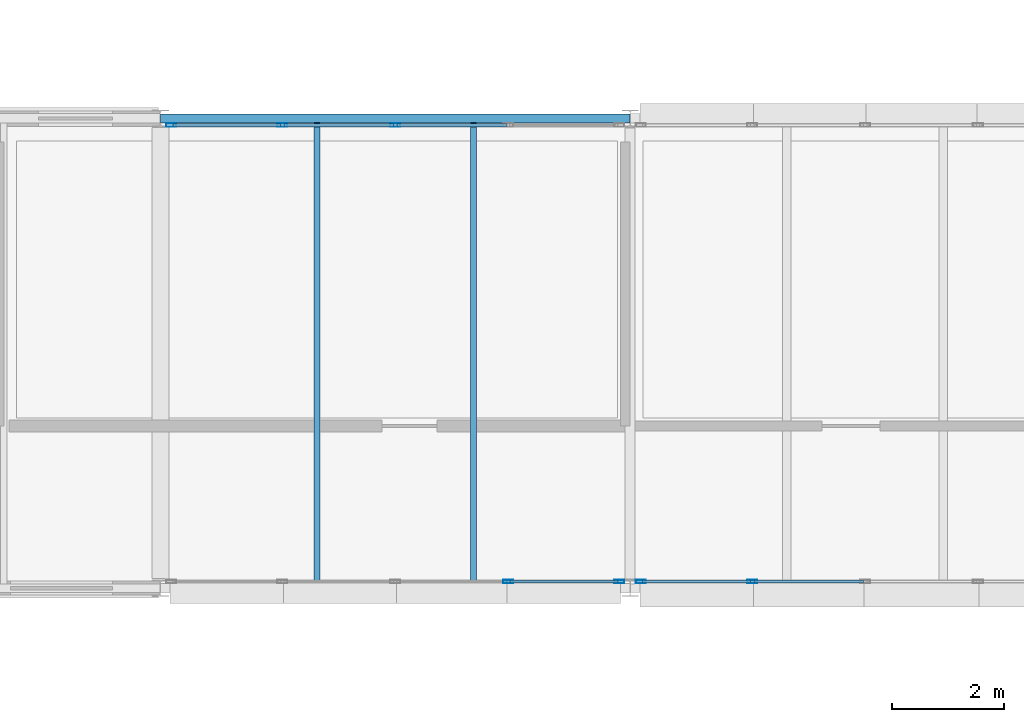
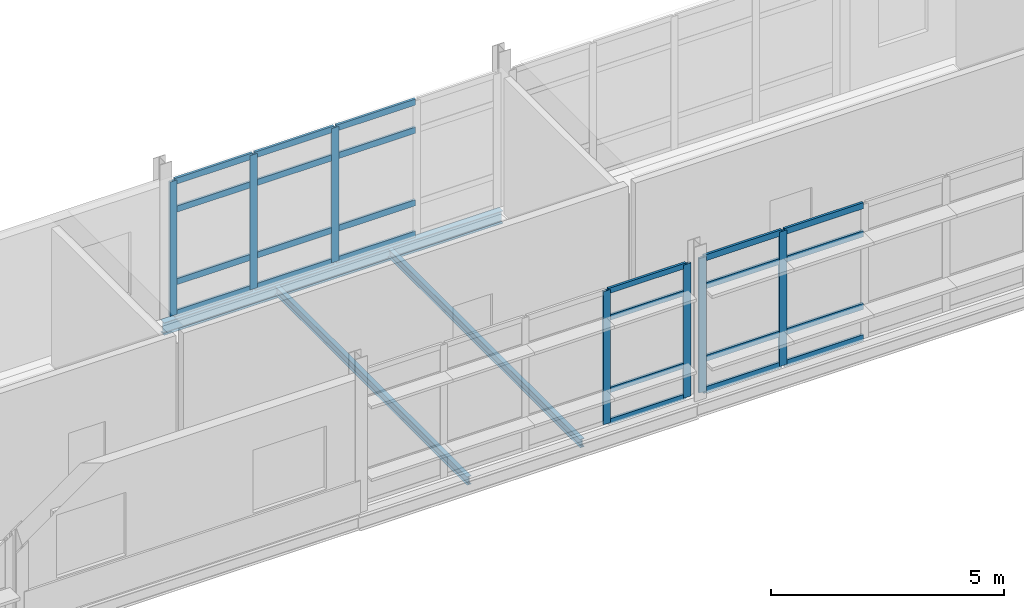
# One storey, part 21 of 57: 31 members, 3 beams, 3 elements without a shape of their own.
"""IFC4 building model written with IfcOpenShell, lengths in metres."""

from ifc_helpers import new_model, si_unit, direction, frame, origin, origin_2d, place, context, subcontext, project, spatial, hollow_rectangle, i_section, extrude, material, material_profile, profile_set, type_object, element, aggregate, save


model = new_model("IFC4")

# Units and contexts
model_context = context("Model", 3, precision=1e-05, world=origin(), true_north=direction((0.0, 1.0)))
body_context = subcontext(model_context, "Body", "Model", "MODEL_VIEW")
ifc_project = project(units=[si_unit("LENGTHUNIT", "METRE"), si_unit("AREAUNIT", "SQUARE_METRE"), si_unit("VOLUMEUNIT", "CUBIC_METRE"), si_unit("PLANEANGLEUNIT", "RADIAN"), si_unit("MASSUNIT", "GRAM", prefix="KILO")], contexts=[model_context])

# Site, building, storey
site_placement = place(None, origin())
site = spatial("IfcSite", under=ifc_project, at=site_placement, CompositionType="ELEMENT")
building_placement = place(site_placement, origin())
building = spatial("IfcBuilding", under=site, at=building_placement, Name="Mersafa Astral City Hall", CompositionType="ELEMENT")
storey_placement = place(building_placement, frame((0.0, 0.0, 26.10009765625)))
storey = spatial("IfcBuildingStorey", under=building, at=storey_placement, Name="L06", CompositionType="ELEMENT", Elevation=26.10009765625)

# Curtain wall, members
ifc_material_1 = material(Name="Anodised bronze aluminium framing", Category="aluminium")
curtain_wall_type_1 = type_object("IfcCurtainWallType", Name="ENV-CW-3", PredefinedType="USERDEFINED", material=ifc_material_1)
curtain_wall_1_placement = place(storey_placement, origin())
curtain_wall_1 = element("IfcCurtainWall", 1, at=curtain_wall_1_placement, inside=storey, type_object=curtain_wall_type_1, Name="L06 Unitised solar curtain wall 260", ObjectType="UNITISED CURTAIN WALL", PredefinedType="USERDEFINED")
ifc_material_profile_1 = material_profile(ifc_material_1, hollow_rectangle(XDim=0.06005859375, YDim=0.179931640625, WallThickness=0.00390625, at=origin_2d()), Name="RHS 60x180x4")
ifc_profile_set_1 = profile_set([ifc_material_profile_1], Name="Anodised bronze aluminium framing")
member_type_1 = type_object("IfcMemberType", Name="ENV-CW-MUL-1", PredefinedType="MULLION", material=ifc_profile_set_1)
member_1_placement = place(storey_placement, frame((88.199951171875, 125.8798828125, -0.002197265625), z_axis=(0.0, 0.0, 1.0), x_axis=(0.0, -1.0, 0.0)))
member_1 = element("IfcMember", 2, at=member_1_placement, type_object=member_type_1, Name="CW-3 mullion 3", PredefinedType="MULLION", context=body_context, shape_type="SweptSolid", body=[
    extrude(hollow_rectangle(XDim=0.06005859375, YDim=0.179931640625, WallThickness=0.00390625, at=origin_2d()), origin(), (0.0, 0.0, 1.0), 3.51904296875),
])
member_2_placement = place(storey_placement, frame((86.180908203125, 125.8798828125, -0.002197265625), z_axis=(0.0, 0.0, 1.0), x_axis=(0.0, -1.0, 0.0)))
member_2 = element("IfcMember", 3, at=member_2_placement, type_object=member_type_1, Name="CW-3 mullion 4", PredefinedType="MULLION", context=body_context, shape_type="SweptSolid", body=[
    extrude(hollow_rectangle(XDim=0.06005859375, YDim=0.179931640625, WallThickness=0.00390625, at=origin_2d()), origin(), (0.0, 0.0, 1.0), 3.51904296875),
])
member_3_placement = place(storey_placement, frame((84.19189453125, 125.8798828125, -0.002197265625), z_axis=(0.0, 0.0, 1.0), x_axis=(0.0, -1.0, 0.0)))
member_3 = element("IfcMember", 4, at=member_3_placement, type_object=member_type_1, Name="CW-3 mullion 5", PredefinedType="MULLION", context=body_context, shape_type="SweptSolid", body=[
    extrude(hollow_rectangle(XDim=0.06005859375, YDim=0.179931640625, WallThickness=0.00390625, at=origin_2d()), origin(), (0.0, 0.0, 1.0), 3.51904296875),
])

curtain_wall_type_2 = type_object("IfcCurtainWallType", Name="ENV-CW-2", PredefinedType="USERDEFINED", material=ifc_material_1)
curtain_wall_2_placement = place(storey_placement, origin())
curtain_wall_2 = element("IfcCurtainWall", 5, at=curtain_wall_2_placement, inside=storey, type_object=curtain_wall_type_2, Name="L06 Unitised solar curtain wall 265", ObjectType="UNITISED CURTAIN WALL", PredefinedType="USERDEFINED")
member_4_placement = place(storey_placement, frame((90.218994140625, 117.719970703125, -0.002197265625), z_axis=(0.0, 0.0, 1.0), x_axis=(0.0, 1.0, 0.0)))
member_4 = element("IfcMember", 6, at=member_4_placement, type_object=member_type_1, Name="CW-2 mullion 4", PredefinedType="MULLION", context=body_context, shape_type="SweptSolid", body=[
    extrude(hollow_rectangle(XDim=0.06005859375, YDim=0.179931640625, WallThickness=0.00390625, at=origin_2d()), origin(), (0.0, 0.0, 1.0), 3.489013671875),
])
member_5_placement = place(storey_placement, frame((92.2080078125, 117.719970703125, -0.002197265625), z_axis=(0.0, 0.0, 1.0), x_axis=(0.0, 1.0, 0.0)))
member_5 = element("IfcMember", 7, at=member_5_placement, type_object=member_type_1, Name="CW-2 mullion 5", PredefinedType="MULLION", context=body_context, shape_type="SweptSolid", body=[
    extrude(hollow_rectangle(XDim=0.06005859375, YDim=0.179931640625, WallThickness=0.00390625, at=origin_2d()), origin(), (0.0, 0.0, 1.0), 3.489013671875),
])

curtain_wall_3_placement = place(storey_placement, origin())
curtain_wall_3 = element("IfcCurtainWall", 8, at=curtain_wall_3_placement, inside=storey, type_object=curtain_wall_type_1, Name="L06 Unitised solar curtain wall 266", ObjectType="UNITISED CURTAIN WALL", PredefinedType="USERDEFINED")
member_6_placement = place(storey_placement, frame((92.592041015625, 117.719970703125, -0.002197265625), z_axis=(0.0, 0.0, 1.0), x_axis=(0.0, 1.0, 0.0)))
member_6 = element("IfcMember", 9, at=member_6_placement, type_object=member_type_1, Name="CW-3 mullion 1", PredefinedType="MULLION", context=body_context, shape_type="SweptSolid", body=[
    extrude(hollow_rectangle(XDim=0.06005859375, YDim=0.179931640625, WallThickness=0.00390625, at=origin_2d()), origin(), (0.0, 0.0, 1.0), 3.51904296875),
])
member_7_placement = place(storey_placement, frame((94.5810546875, 117.719970703125, -0.002197265625), z_axis=(0.0, 0.0, 1.0), x_axis=(0.0, 1.0, 0.0)))
member_7 = element("IfcMember", 10, at=member_7_placement, type_object=member_type_1, Name="CW-3 mullion 2", PredefinedType="MULLION", context=body_context, shape_type="SweptSolid", body=[
    extrude(hollow_rectangle(XDim=0.06005859375, YDim=0.179931640625, WallThickness=0.00390625, at=origin_2d()), origin(), (0.0, 0.0, 1.0), 3.51904296875),
])

# Member
ifc_material_profile_2 = material_profile(ifc_material_1, hollow_rectangle(XDim=0.06005859375, YDim=0.139892578125, WallThickness=0.00390625, at=origin_2d()), Name="RHS 60x140x4")
ifc_profile_set_2 = profile_set([ifc_material_profile_2], Name="Anodised bronze aluminium framing")
member_type_2 = type_object("IfcMemberType", Name="ENV-CW-TRN-1", PredefinedType="USERDEFINED", material=ifc_profile_set_2)
member_8_placement = place(storey_placement, frame((90.2490234375, 117.719970703125, 0.02783203125), z_axis=(1.0, 0.0, 0.0), x_axis=(0.0, 1.0, 0.0)))
member_8 = element("IfcMember", 11, at=member_8_placement, type_object=member_type_2, Name="CW-2 transom 4.1", ObjectType="TRANSOM", PredefinedType="USERDEFINED", context=body_context, shape_type="SweptSolid", body=[
    extrude(hollow_rectangle(XDim=0.06005859375, YDim=0.139892578125, WallThickness=0.00390625, at=origin_2d()), origin(), (0.0, 0.0, 1.0), 1.928955078125),
])

member_9_placement = place(storey_placement, frame((90.2490234375, 117.719970703125, 0.849853515625), z_axis=(1.0, 0.0, 0.0), x_axis=(0.0, 1.0, 0.0)))
member_9 = element("IfcMember", 12, at=member_9_placement, type_object=member_type_2, Name="CW-2 transom 4.2", ObjectType="TRANSOM", PredefinedType="USERDEFINED", context=body_context, shape_type="SweptSolid", body=[
    extrude(hollow_rectangle(XDim=0.06005859375, YDim=0.139892578125, WallThickness=0.00390625, at=origin_2d()), origin(), (0.0, 0.0, 1.0), 1.928955078125),
])

member_10_placement = place(storey_placement, frame((90.2490234375, 117.719970703125, 2.75), z_axis=(1.0, 0.0, 0.0), x_axis=(0.0, 1.0, 0.0)))
member_10 = element("IfcMember", 13, at=member_10_placement, type_object=member_type_2, Name="CW-2 transom 4.3", ObjectType="TRANSOM", PredefinedType="USERDEFINED", context=body_context, shape_type="SweptSolid", body=[
    extrude(hollow_rectangle(XDim=0.06005859375, YDim=0.139892578125, WallThickness=0.00390625, at=origin_2d()), origin(), (0.0, 0.0, 1.0), 1.928955078125),
])

member_11_placement = place(storey_placement, frame((90.2490234375, 117.719970703125, 3.456787109375), z_axis=(1.0, 0.0, 0.0), x_axis=(0.0, 1.0, 0.0)))
member_11 = element("IfcMember", 14, at=member_11_placement, type_object=member_type_2, Name="CW-2 transom 4.4", ObjectType="TRANSOM", PredefinedType="USERDEFINED", context=body_context, shape_type="SweptSolid", body=[
    extrude(hollow_rectangle(XDim=0.06005859375, YDim=0.139892578125, WallThickness=0.00390625, at=origin_2d()), origin(), (0.0, 0.0, 1.0), 1.928955078125),
])

aggregate(curtain_wall_2, [member_4, member_5, member_8, member_9, member_10, member_11])

ifc_material_profile_3 = material_profile(ifc_material_1, hollow_rectangle(XDim=0.06005859375, YDim=0.159912109375, WallThickness=0.00390625, at=origin_2d()), Name="RHS 60x160x4")
ifc_profile_set_3 = profile_set([ifc_material_profile_3], Name="Anodised bronze aluminium framing")
member_type_3 = type_object("IfcMemberType", Name="ENV-CW-TRN-2", PredefinedType="USERDEFINED", material=ifc_profile_set_3)
member_12_placement = place(storey_placement, frame((90.18896484375, 125.8798828125, 0.02783203125), z_axis=(-1.0, 0.0, 0.0), x_axis=(0.0, -1.0, 0.0)))
member_12 = element("IfcMember", 15, at=member_12_placement, type_object=member_type_3, Name="CW-3 transom 2.1", ObjectType="TRANSOM", PredefinedType="USERDEFINED", context=body_context, shape_type="SweptSolid", body=[
    extrude(hollow_rectangle(XDim=0.06005859375, YDim=0.159912109375, WallThickness=0.00390625, at=origin_2d()), origin(), (0.0, 0.0, 1.0), 1.958984375),
])

member_13_placement = place(storey_placement, frame((90.18896484375, 125.8798828125, 0.849853515625), z_axis=(-1.0, 0.0, 0.0), x_axis=(0.0, -1.0, 0.0)))
member_13 = element("IfcMember", 16, at=member_13_placement, type_object=member_type_3, Name="CW-3 transom 2.2", ObjectType="TRANSOM", PredefinedType="USERDEFINED", context=body_context, shape_type="SweptSolid", body=[
    extrude(hollow_rectangle(XDim=0.06005859375, YDim=0.159912109375, WallThickness=0.00390625, at=origin_2d()), origin(), (0.0, 0.0, 1.0), 1.958984375),
])

member_14_placement = place(storey_placement, frame((90.18896484375, 125.8798828125, 2.75), z_axis=(-1.0, 0.0, 0.0), x_axis=(0.0, -1.0, 0.0)))
member_14 = element("IfcMember", 17, at=member_14_placement, type_object=member_type_3, Name="CW-3 transom 2.3", ObjectType="TRANSOM", PredefinedType="USERDEFINED", context=body_context, shape_type="SweptSolid", body=[
    extrude(hollow_rectangle(XDim=0.06005859375, YDim=0.159912109375, WallThickness=0.00390625, at=origin_2d()), origin(), (0.0, 0.0, 1.0), 1.958984375),
])

member_15_placement = place(storey_placement, frame((90.18896484375, 125.8798828125, 3.48681640625), z_axis=(-1.0, 0.0, 0.0), x_axis=(0.0, -1.0, 0.0)))
member_15 = element("IfcMember", 18, at=member_15_placement, type_object=member_type_3, Name="CW-3 transom 2.4", ObjectType="TRANSOM", PredefinedType="USERDEFINED", context=body_context, shape_type="SweptSolid", body=[
    extrude(hollow_rectangle(XDim=0.06005859375, YDim=0.159912109375, WallThickness=0.00390625, at=origin_2d()), origin(), (0.0, 0.0, 1.0), 1.958984375),
])

member_16_placement = place(storey_placement, frame((88.169921875, 125.8798828125, 0.02783203125), z_axis=(-1.0, 0.0, 0.0), x_axis=(0.0, -1.0, 0.0)))
member_16 = element("IfcMember", 19, at=member_16_placement, type_object=member_type_3, Name="CW-3 transom 3.1", ObjectType="TRANSOM", PredefinedType="USERDEFINED", context=body_context, shape_type="SweptSolid", body=[
    extrude(hollow_rectangle(XDim=0.06005859375, YDim=0.159912109375, WallThickness=0.00390625, at=origin_2d()), origin(), (0.0, 0.0, 1.0), 1.958984375),
])

member_17_placement = place(storey_placement, frame((88.169921875, 125.8798828125, 0.849853515625), z_axis=(-1.0, 0.0, 0.0), x_axis=(0.0, -1.0, 0.0)))
member_17 = element("IfcMember", 20, at=member_17_placement, type_object=member_type_3, Name="CW-3 transom 3.2", ObjectType="TRANSOM", PredefinedType="USERDEFINED", context=body_context, shape_type="SweptSolid", body=[
    extrude(hollow_rectangle(XDim=0.06005859375, YDim=0.159912109375, WallThickness=0.00390625, at=origin_2d()), origin(), (0.0, 0.0, 1.0), 1.958984375),
])

member_18_placement = place(storey_placement, frame((88.169921875, 125.8798828125, 2.75), z_axis=(-1.0, 0.0, 0.0), x_axis=(0.0, -1.0, 0.0)))
member_18 = element("IfcMember", 21, at=member_18_placement, type_object=member_type_3, Name="CW-3 transom 3.3", ObjectType="TRANSOM", PredefinedType="USERDEFINED", context=body_context, shape_type="SweptSolid", body=[
    extrude(hollow_rectangle(XDim=0.06005859375, YDim=0.159912109375, WallThickness=0.00390625, at=origin_2d()), origin(), (0.0, 0.0, 1.0), 1.958984375),
])

member_19_placement = place(storey_placement, frame((88.169921875, 125.8798828125, 3.48681640625), z_axis=(-1.0, 0.0, 0.0), x_axis=(0.0, -1.0, 0.0)))
member_19 = element("IfcMember", 22, at=member_19_placement, type_object=member_type_3, Name="CW-3 transom 3.4", ObjectType="TRANSOM", PredefinedType="USERDEFINED", context=body_context, shape_type="SweptSolid", body=[
    extrude(hollow_rectangle(XDim=0.06005859375, YDim=0.159912109375, WallThickness=0.00390625, at=origin_2d()), origin(), (0.0, 0.0, 1.0), 1.958984375),
])

member_20_placement = place(storey_placement, frame((86.15087890625, 125.8798828125, 0.02783203125), z_axis=(-1.0, 0.0, 0.0), x_axis=(0.0, -1.0, 0.0)))
member_20 = element("IfcMember", 23, at=member_20_placement, type_object=member_type_3, Name="CW-3 transom 4.1", ObjectType="TRANSOM", PredefinedType="USERDEFINED", context=body_context, shape_type="SweptSolid", body=[
    extrude(hollow_rectangle(XDim=0.06005859375, YDim=0.159912109375, WallThickness=0.00390625, at=origin_2d()), origin(), (0.0, 0.0, 1.0), 1.928955078125),
])

member_21_placement = place(storey_placement, frame((86.15087890625, 125.8798828125, 0.849853515625), z_axis=(-1.0, 0.0, 0.0), x_axis=(0.0, -1.0, 0.0)))
member_21 = element("IfcMember", 24, at=member_21_placement, type_object=member_type_3, Name="CW-3 transom 4.2", ObjectType="TRANSOM", PredefinedType="USERDEFINED", context=body_context, shape_type="SweptSolid", body=[
    extrude(hollow_rectangle(XDim=0.06005859375, YDim=0.159912109375, WallThickness=0.00390625, at=origin_2d()), origin(), (0.0, 0.0, 1.0), 1.928955078125),
])

member_22_placement = place(storey_placement, frame((86.15087890625, 125.8798828125, 2.75), z_axis=(-1.0, 0.0, 0.0), x_axis=(0.0, -1.0, 0.0)))
member_22 = element("IfcMember", 25, at=member_22_placement, type_object=member_type_3, Name="CW-3 transom 4.3", ObjectType="TRANSOM", PredefinedType="USERDEFINED", context=body_context, shape_type="SweptSolid", body=[
    extrude(hollow_rectangle(XDim=0.06005859375, YDim=0.159912109375, WallThickness=0.00390625, at=origin_2d()), origin(), (0.0, 0.0, 1.0), 1.928955078125),
])

member_23_placement = place(storey_placement, frame((86.15087890625, 125.8798828125, 3.48681640625), z_axis=(-1.0, 0.0, 0.0), x_axis=(0.0, -1.0, 0.0)))
member_23 = element("IfcMember", 26, at=member_23_placement, type_object=member_type_3, Name="CW-3 transom 4.4", ObjectType="TRANSOM", PredefinedType="USERDEFINED", context=body_context, shape_type="SweptSolid", body=[
    extrude(hollow_rectangle(XDim=0.06005859375, YDim=0.159912109375, WallThickness=0.00390625, at=origin_2d()), origin(), (0.0, 0.0, 1.0), 1.928955078125),
])

aggregate(curtain_wall_1, [member_1, member_2, member_3, member_12, member_13, member_14, member_15, member_16, member_17, member_18, member_19, member_20, member_21, member_22, member_23])

member_24_placement = place(storey_placement, frame((92.6220703125, 117.719970703125, 0.02783203125), z_axis=(1.0, 0.0, 0.0), x_axis=(0.0, 1.0, 0.0)))
member_24 = element("IfcMember", 27, at=member_24_placement, type_object=member_type_3, Name="CW-3 transom 1.1", ObjectType="TRANSOM", PredefinedType="USERDEFINED", context=body_context, shape_type="SweptSolid", body=[
    extrude(hollow_rectangle(XDim=0.06005859375, YDim=0.159912109375, WallThickness=0.00390625, at=origin_2d()), origin(), (0.0, 0.0, 1.0), 1.928955078125),
])

member_25_placement = place(storey_placement, frame((92.6220703125, 117.719970703125, 0.849853515625), z_axis=(1.0, 0.0, 0.0), x_axis=(0.0, 1.0, 0.0)))
member_25 = element("IfcMember", 28, at=member_25_placement, type_object=member_type_3, Name="CW-3 transom 1.2", ObjectType="TRANSOM", PredefinedType="USERDEFINED", context=body_context, shape_type="SweptSolid", body=[
    extrude(hollow_rectangle(XDim=0.06005859375, YDim=0.159912109375, WallThickness=0.00390625, at=origin_2d()), origin(), (0.0, 0.0, 1.0), 1.928955078125),
])

member_26_placement = place(storey_placement, frame((92.6220703125, 117.719970703125, 2.75), z_axis=(1.0, 0.0, 0.0), x_axis=(0.0, 1.0, 0.0)))
member_26 = element("IfcMember", 29, at=member_26_placement, type_object=member_type_3, Name="CW-3 transom 1.3", ObjectType="TRANSOM", PredefinedType="USERDEFINED", context=body_context, shape_type="SweptSolid", body=[
    extrude(hollow_rectangle(XDim=0.06005859375, YDim=0.159912109375, WallThickness=0.00390625, at=origin_2d()), origin(), (0.0, 0.0, 1.0), 1.928955078125),
])

member_27_placement = place(storey_placement, frame((92.6220703125, 117.719970703125, 3.48681640625), z_axis=(1.0, 0.0, 0.0), x_axis=(0.0, 1.0, 0.0)))
member_27 = element("IfcMember", 30, at=member_27_placement, type_object=member_type_3, Name="CW-3 transom 1.4", ObjectType="TRANSOM", PredefinedType="USERDEFINED", context=body_context, shape_type="SweptSolid", body=[
    extrude(hollow_rectangle(XDim=0.06005859375, YDim=0.159912109375, WallThickness=0.00390625, at=origin_2d()), origin(), (0.0, 0.0, 1.0), 1.928955078125),
])

member_28_placement = place(storey_placement, frame((94.611083984375, 117.719970703125, 0.02783203125), z_axis=(1.0, 0.0, 0.0), x_axis=(0.0, 1.0, 0.0)))
member_28 = element("IfcMember", 31, at=member_28_placement, type_object=member_type_3, Name="CW-3 transom 2.1", ObjectType="TRANSOM", PredefinedType="USERDEFINED", context=body_context, shape_type="SweptSolid", body=[
    extrude(hollow_rectangle(XDim=0.06005859375, YDim=0.159912109375, WallThickness=0.00390625, at=origin_2d()), origin(), (0.0, 0.0, 1.0), 1.958984375),
])

member_29_placement = place(storey_placement, frame((94.611083984375, 117.719970703125, 0.849853515625), z_axis=(1.0, 0.0, 0.0), x_axis=(0.0, 1.0, 0.0)))
member_29 = element("IfcMember", 32, at=member_29_placement, type_object=member_type_3, Name="CW-3 transom 2.2", ObjectType="TRANSOM", PredefinedType="USERDEFINED", context=body_context, shape_type="SweptSolid", body=[
    extrude(hollow_rectangle(XDim=0.06005859375, YDim=0.159912109375, WallThickness=0.00390625, at=origin_2d()), origin(), (0.0, 0.0, 1.0), 1.958984375),
])

member_30_placement = place(storey_placement, frame((94.611083984375, 117.719970703125, 2.75), z_axis=(1.0, 0.0, 0.0), x_axis=(0.0, 1.0, 0.0)))
member_30 = element("IfcMember", 33, at=member_30_placement, type_object=member_type_3, Name="CW-3 transom 2.3", ObjectType="TRANSOM", PredefinedType="USERDEFINED", context=body_context, shape_type="SweptSolid", body=[
    extrude(hollow_rectangle(XDim=0.06005859375, YDim=0.159912109375, WallThickness=0.00390625, at=origin_2d()), origin(), (0.0, 0.0, 1.0), 1.958984375),
])

member_31_placement = place(storey_placement, frame((94.611083984375, 117.719970703125, 3.48681640625), z_axis=(1.0, 0.0, 0.0), x_axis=(0.0, 1.0, 0.0)))
member_31 = element("IfcMember", 34, at=member_31_placement, type_object=member_type_3, Name="CW-3 transom 2.4", ObjectType="TRANSOM", PredefinedType="USERDEFINED", context=body_context, shape_type="SweptSolid", body=[
    extrude(hollow_rectangle(XDim=0.06005859375, YDim=0.159912109375, WallThickness=0.00390625, at=origin_2d()), origin(), (0.0, 0.0, 1.0), 1.958984375),
])

aggregate(curtain_wall_3, [member_6, member_7, member_24, member_25, member_26, member_27, member_28, member_29, member_30, member_31])

# Beams
ifc_material_2 = material(Name="Steel S355", Category="steel")
ifc_material_profile_4 = material_profile(ifc_material_2, i_section(OverallWidth=0.110107421875, OverallDepth=0.219970703125, WebThickness=0.005859375, FlangeThickness=0.00927734375, FilletRadius=0.011962890625, at=origin_2d()), Name="IPE 220")
ifc_profile_set_4 = profile_set([ifc_material_profile_4], Name="Steel S355")
beam_type_1 = type_object("IfcBeamType", Name="STR-BM-JOIST-IPE220", PredefinedType="JOIST", material=ifc_profile_set_4)
for number, where, z_axis, x_axis, name in (
    (35, (86.800048828125, 117.679931640625, -0.28515625), (0.0, 1.0, 0.0), (-1.0, 0.0, 0.0), "L06 Composite secondary floor joist 852"),
    (36, (89.60009765625, 117.679931640625, -0.28515625), (0.0, 1.0, 0.0), (-1.0, 0.0, 0.0), "L06 Composite secondary floor joist 853"),
):
    element("IfcBeam", number, at=place(storey_placement, frame(where, z_axis=z_axis, x_axis=x_axis)), inside=storey, type_object=beam_type_1, Name=name, PredefinedType="JOIST", context=body_context, shape_type="SweptSolid", body=[
        extrude(i_section(OverallWidth=0.110107421875, OverallDepth=0.219970703125, WebThickness=0.005859375, FlangeThickness=0.00927734375, FilletRadius=0.011962890625, at=origin_2d()), origin(), (0.0, 0.0, 1.0), 8.2451171875),
    ])
ifc_material_profile_5 = material_profile(ifc_material_2, i_section(OverallWidth=0.159912109375, OverallDepth=0.330078125, WebThickness=0.007568359375, FlangeThickness=0.011474609375, FilletRadius=0.01806640625, at=origin_2d()), Name="IPE 330")
ifc_profile_set_5 = profile_set([ifc_material_profile_5], Name="Steel S355")
beam_type_2 = type_object("IfcBeamType", Name="STR-BM-SPANDREL-IPE330", PredefinedType="SPANDREL", material=ifc_profile_set_5)
beam_placement = place(storey_placement, frame((84.0029296875, 126.0, -0.340087890625), z_axis=(1.0, 0.0, 0.0), x_axis=(0.0, 1.0, 0.0)))
element("IfcBeam", 37, at=beam_placement, inside=storey, type_object=beam_type_2, Name="L06 Primary girder X 10-15", PredefinedType="SPANDREL", context=body_context, shape_type="SweptSolid", body=[
    extrude(i_section(OverallWidth=0.159912109375, OverallDepth=0.330078125, WebThickness=0.007568359375, FlangeThickness=0.011474609375, FilletRadius=0.01806640625, at=origin_2d()), origin(), (0.0, 0.0, 1.0), 8.39404296875),
])

save(model, "model.ifc")
